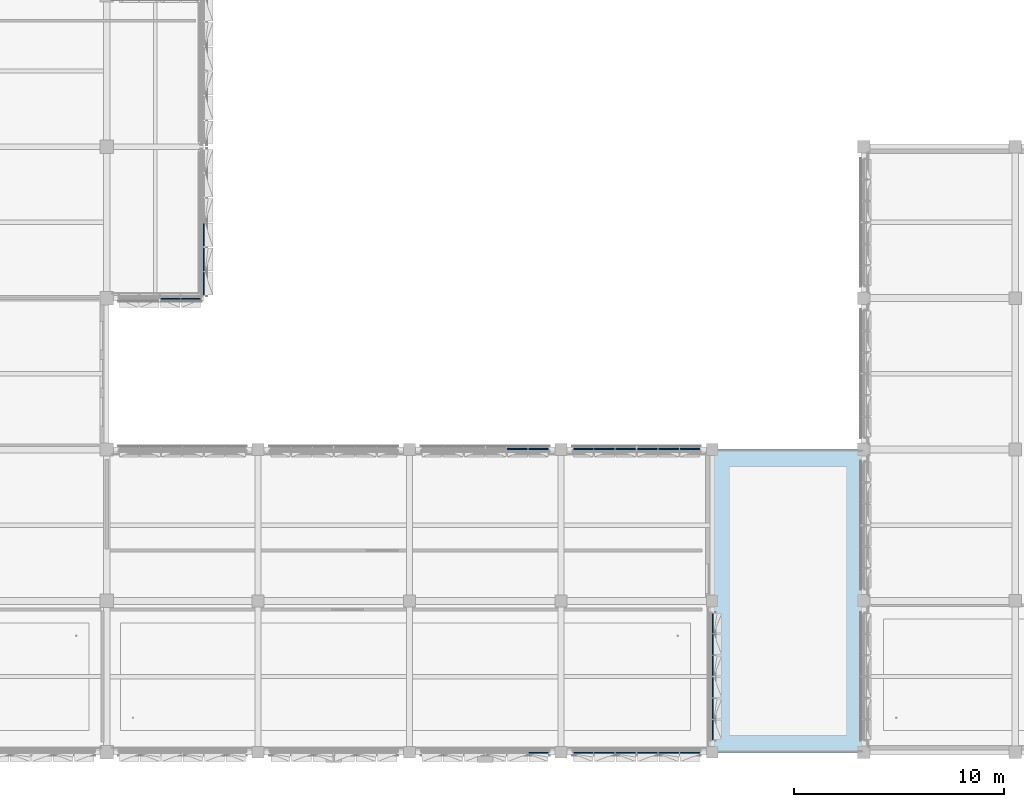
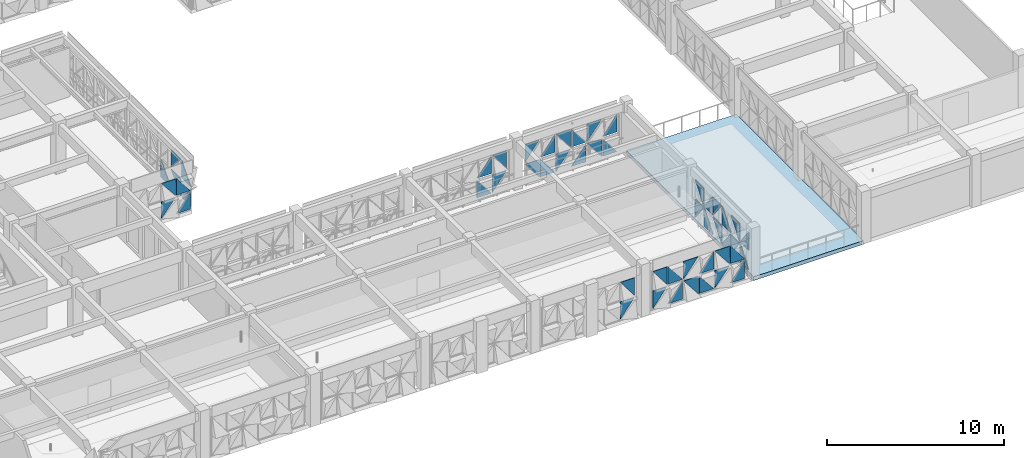
# One storey, part 32 of 85: 51 plates, 1 slab, 7 elements without a shape of their own.
"""IFC4 building model written with IfcOpenShell, lengths in metres."""

import ifcopenshell
import ifcopenshell.guid

model = None  # the IFC model being written
_history = None  # IfcOwnerHistory: only IFC2X3 demands one
_inside = {}  # id of a spatial element -> (the spatial element, [elements in it])
_under = {}  # id of a project, library or spatial element -> (it, [spatial elements below it])
_declared = {}  # id of a project -> (the project, [libraries it declares])
_typed = {}  # id of a type object -> (the type object, [elements of that type])
_made_of = {}  # id of a material, layer set ... -> (it, [elements and type objects made of it])


def new_model(schema):
    """Start an empty IFC model of exactly this schema.

    Asked for "IFC4X3", IfcOpenShell would pick the latest addendum, in which some entities
    have other attributes; the version numbers below select the first issue.
    IFC2X3 requires an IfcOwnerHistory on every rooted entity: one is made here for all.
    """
    global model, _history
    if schema == "IFC4X3":
        model = ifcopenshell.file(schema_version=(4, 3, 0, 0))
    else:
        model = ifcopenshell.file(schema=schema)
    _inside.clear()
    _under.clear()
    _declared.clear()
    _typed.clear()
    _made_of.clear()
    _history = None
    if model.schema == "IFC2X3":
        org = make("IfcOrganization", Name="unknown")
        user = make(
            "IfcPersonAndOrganization",
            ThePerson=make("IfcPerson", FamilyName="unknown"),
            TheOrganization=org,
        )
        app = make(
            "IfcApplication",
            ApplicationDeveloper=org,
            Version="unknown",
            ApplicationFullName="unknown",
            ApplicationIdentifier="unknown",
        )
        _history = make(
            "IfcOwnerHistory",
            OwningUser=user,
            OwningApplication=app,
            ChangeAction="ADDED",
            CreationDate=0,
        )
    return model


def make(cls, **values):
    """One entity of the class cls with the attributes given. An attribute that is None is left unset."""
    return model.create_entity(
        cls, **{name: value for name, value in values.items() if value is not None}
    )


def rooted(cls, **values):
    """An entity with a GlobalId (a new one), such as an element, a storey or a relation."""
    return make(cls, GlobalId=ifcopenshell.guid.new(), OwnerHistory=_history, **values)


def si_unit(unit_type, name, prefix=None):
    """IfcSIUnit, for example si_unit("LENGTHUNIT", "METRE", prefix="MILLI")."""
    return make("IfcSIUnit", UnitType=unit_type, Prefix=prefix, Name=name)


def assignment(units):
    """IfcUnitAssignment: the units of a project."""
    return None if units is None else make("IfcUnitAssignment", Units=units)


def point(xyz):
    """IfcCartesianPoint."""
    return None if xyz is None else make("IfcCartesianPoint", Coordinates=xyz)


def direction(xyz):
    """IfcDirection."""
    return None if xyz is None else make("IfcDirection", DirectionRatios=xyz)


def frame(location, z_axis=None, x_axis=None):
    """IfcAxis2Placement3D, a coordinate frame: its origin and axes. An axis left out is left unset."""
    return make(
        "IfcAxis2Placement3D",
        Location=point(location),
        Axis=direction(z_axis),
        RefDirection=direction(x_axis),
    )


def origin():
    """The frame at (0, 0, 0) with its axes left unset."""
    return frame((0.0, 0.0, 0.0))


def place(relative_to, where):
    """IfcLocalPlacement: puts the frame where relative to a parent placement (None: the world)."""
    return make(
        "IfcLocalPlacement", PlacementRelTo=relative_to, RelativePlacement=where
    )


def context(
    kind, dimensions, precision=None, world=None, true_north=None, identifier=None
):
    """IfcGeometricRepresentationContext, for example the 3D "Model" context."""
    return make(
        "IfcGeometricRepresentationContext",
        ContextIdentifier=identifier,
        ContextType=kind,
        CoordinateSpaceDimension=dimensions,
        Precision=precision,
        WorldCoordinateSystem=world,
        TrueNorth=true_north,
    )


def subcontext(parent, identifier, kind, view, scale=None):
    """IfcGeometricRepresentationSubContext, for example "Body" below "Model"."""
    return make(
        "IfcGeometricRepresentationSubContext",
        ContextIdentifier=identifier,
        ContextType=kind,
        ParentContext=parent,
        TargetScale=scale,
        TargetView=view,
    )


def project(units=None, contexts=None):
    """IfcProject with its units and contexts."""
    return rooted(
        "IfcProject",
        Name="project",
        RepresentationContexts=contexts,
        UnitsInContext=assignment(units),
    )


def spatial(cls, under=None, at=None, **own):
    """A site, building, storey or space (cls), placed at a placement, below another one or the project."""
    s = rooted(cls, ObjectPlacement=at, **own)
    if under is not None:
        _under.setdefault(under.id(), (under, []))[1].append(s)
    return s


def polyline(points):
    """IfcPolyline through the points."""
    return make("IfcPolyline", Points=[point(p) for p in points])


def outline(outer, holes=None, kind="AREA"):
    """IfcArbitraryClosedProfileDef: a profile drawn as a closed curve; with holes, ...WithVoids."""
    if holes is None:
        return make("IfcArbitraryClosedProfileDef", ProfileType=kind, OuterCurve=outer)
    return make(
        "IfcArbitraryProfileDefWithVoids",
        ProfileType=kind,
        OuterCurve=outer,
        InnerCurves=holes,
    )


def extrude(swept, where, along, depth):
    """IfcExtrudedAreaSolid: the profile swept, set in the frame where, extruded along a direction by depth."""
    return make(
        "IfcExtrudedAreaSolid",
        SweptArea=swept,
        Position=where,
        ExtrudedDirection=direction(along),
        Depth=depth,
    )


def shape(context_of_items, identifier, shape_type, items):
    """IfcShapeRepresentation: the items that make up one representation, for example the "Body"."""
    return make(
        "IfcShapeRepresentation",
        ContextOfItems=context_of_items,
        RepresentationIdentifier=identifier,
        RepresentationType=shape_type,
        Items=items,
    )


def material(Name=None, Category=None):
    """IfcMaterial."""
    return make("IfcMaterial", Name=Name, Category=Category)


def layer(
    of_material, thickness, ventilated=None, Name=None, Category=None, Priority=None
):
    """IfcMaterialLayer: one layer of a wall or slab, of a material (None: an air gap)."""
    return make(
        "IfcMaterialLayer",
        Material=of_material,
        LayerThickness=thickness,
        IsVentilated=ventilated,
        Name=Name,
        Category=Category,
        Priority=Priority,
    )


def layer_set(layers, Name=None):
    """IfcMaterialLayerSet."""
    return make("IfcMaterialLayerSet", MaterialLayers=layers, LayerSetName=Name)


def made_of(thing, what):
    """Note that an element or type object is made of a material, layer set ...; save() writes the relation."""
    if what is not None:
        _made_of.setdefault(what.id(), (what, []))[1].append(thing)
    return thing


def type_object(cls, material=None, **own):
    """A type object (cls), such as IfcWallType, which elements share."""
    return made_of(rooted(cls, **own), material)


def element(
    cls,
    number,
    at=None,
    inside=None,
    cuts=None,
    type_object=None,
    material=None,
    context=None,
    identifier="Body",
    shape_type=None,
    held_by="IfcProductDefinitionShape",
    body=None,
    shapes=None,
    **own,
):
    """One element of the class cls, such as IfcWall. Its Tag is "e" and its number.

    at: its placement. inside: the storey or other place that contains it. cuts: it is an
    opening in that element (IfcRelVoidsElement). A single representation is given by context,
    identifier, shape_type and body (its items); several are given by shapes. held_by: the class
    of the entity that holds the representations. save() writes the other relations.
    """
    e = rooted(cls, Tag="e%d" % number, ObjectPlacement=at, **own)
    if body is not None:
        shapes = [shape(context, identifier, shape_type, body)]
    if shapes is not None:
        e.Representation = make(held_by, Representations=shapes)
    if inside is not None:
        _inside.setdefault(inside.id(), (inside, []))[1].append(e)
    if cuts is not None:
        rooted(
            "IfcRelVoidsElement", RelatingBuildingElement=cuts, RelatedOpeningElement=e
        )
    if type_object is not None:
        _typed.setdefault(type_object.id(), (type_object, []))[1].append(e)
    return made_of(e, material)


def aggregate(whole, parts):
    """IfcRelAggregates: a whole, such as a stair, and the parts it consists of."""
    return rooted("IfcRelAggregates", RelatingObject=whole, RelatedObjects=parts)


def save(model, path):
    """Write the relations noted so far, then the file.

    IfcRelAggregates (storeys below a building ...), IfcRelContainedInSpatialStructure (elements
    in a storey), IfcRelDefinesByType, IfcRelAssociatesMaterial and IfcRelDeclares: one each for
    every whole, place, type object, material and project.
    """
    for whole, parts in _under.values():
        aggregate(whole, parts)
    for where, things in _inside.values():
        rooted(
            "IfcRelContainedInSpatialStructure",
            RelatedElements=things,
            RelatingStructure=where,
        )
    for kind, things in _typed.values():
        rooted("IfcRelDefinesByType", RelatedObjects=things, RelatingType=kind)
    for what, things in _made_of.values():
        rooted("IfcRelAssociatesMaterial", RelatedObjects=things, RelatingMaterial=what)
    for by, libraries in _declared.values():
        rooted("IfcRelDeclares", RelatingContext=by, RelatedDefinitions=libraries)
    model.write(path)


model = new_model("IFC4")

# Units and contexts
model_context = context("Model", 3, precision=1e-05, world=origin(), true_north=direction((0.0, 1.0)))
body_context = subcontext(model_context, "Body", "Model", "MODEL_VIEW")
ifc_project = project(units=[si_unit("LENGTHUNIT", "METRE"), si_unit("AREAUNIT", "SQUARE_METRE"), si_unit("VOLUMEUNIT", "CUBIC_METRE"), si_unit("PLANEANGLEUNIT", "RADIAN"), si_unit("MASSUNIT", "GRAM", prefix="KILO")], contexts=[model_context])

# Site, building, storey
site_placement = place(None, origin())
site = spatial("IfcSite", under=ifc_project, at=site_placement, CompositionType="ELEMENT")
building_placement = place(site_placement, origin())
building = spatial("IfcBuilding", under=site, at=building_placement, Name="Alvorim Cloister Faculty of Sciences", CompositionType="ELEMENT")
storey_placement = place(building_placement, frame((0.0, 0.0, 8.550048828125)))
storey = spatial("IfcBuildingStorey", under=building, at=storey_placement, Name="L02", CompositionType="ELEMENT", Elevation=8.550048828125)

# Curtain wall, plates
ifc_material_1 = material(Name="Aluminium and Low-E Glass Curtain Wall", Category="aluminium")
curtain_wall_type_1 = type_object("IfcCurtainWallType", Name="CW-TRI-7040x2857", PredefinedType="USERDEFINED", material=ifc_material_1)
curtain_wall_1_placement = place(storey_placement, origin())
curtain_wall_1 = element("IfcCurtainWall", 1, at=curtain_wall_1_placement, inside=storey, type_object=curtain_wall_type_1, Name="L02 Diagonal Cassette Curtain Wall CW-0073", ObjectType="UNITISED CURTAIN WALL", PredefinedType="USERDEFINED")
ifc_material_2 = material(Name="Double Low-E Laminated Glass", Category="glass")
ifc_layer_1 = layer(ifc_material_2, 0.0400390625)
ifc_layer_set_1 = layer_set([ifc_layer_1], Name="Double Low-E Laminated Glass")
plate_type = type_object("IfcPlateType", Name="PN-GLZ-40", PredefinedType="CURTAIN_PANEL", material=ifc_layer_set_1)
plate_1_placement = place(storey_placement, frame((33.425048828125, 21.7451171875, 0.139892578125), z_axis=(0.0, 0.0, 1.0), x_axis=(0.0, 1.0, 0.0)))
plate_1 = element("IfcPlate", 2, at=plate_1_placement, type_object=plate_type, Name="Diagonal Glazed Triangle TRI-BL", PredefinedType="CURTAIN_PANEL", context=body_context, shape_type="SweptSolid", body=[
    extrude(outline(polyline([(0.0, 0.0), (1.073974609375, 0.0), (0.0, 1.216552734375), (0.0, 0.0)])), frame((0.0, 0.02490234375, 0.0), z_axis=(0.0, -1.0, 0.0), x_axis=(1.0, 0.0, 0.0)), (0.0, 0.0, 1.0), 0.050048828125),
])
plate_2_placement = place(storey_placement, frame((33.425048828125, 21.7451171875, 1.49853515625), z_axis=(0.0, 0.0, 1.0), x_axis=(0.0, 1.0, 0.0)))
plate_2 = element("IfcPlate", 3, at=plate_2_placement, type_object=plate_type, Name="Diagonal Glazed Triangle TRI-BR", PredefinedType="CURTAIN_PANEL", context=body_context, shape_type="SweptSolid", body=[
    extrude(outline(polyline([(0.001953125, 0.0), (1.075927734375, 0.0), (1.075927734375, 1.216552734375), (0.001953125, 0.0)])), frame((0.0, 0.02490234375, 0.0), z_axis=(0.0, -1.0, 0.0), x_axis=(1.0, 0.0, 0.0)), (0.0, 0.0, 1.0), 0.050048828125),
])
plate_3_placement = place(storey_placement, frame((33.425048828125, 22.8857421875, 0.139892578125), z_axis=(0.0, 0.0, 1.0), x_axis=(0.0, 1.0, 0.0)))
plate_3 = element("IfcPlate", 4, at=plate_3_placement, type_object=plate_type, Name="Diagonal Glazed Triangle TRI-TL", PredefinedType="CURTAIN_PANEL", context=body_context, shape_type="SweptSolid", body=[
    extrude(outline(polyline([(1.1064453125, 1.218505859375), (0.0, 1.218505859375), (0.0, 0.001953125), (1.1064453125, 1.218505859375)])), frame((0.0, 0.02490234375, 0.0), z_axis=(0.0, -1.0, 0.0), x_axis=(1.0, 0.0, 0.0)), (0.0, 0.0, 1.0), 0.050048828125),
])
plate_4_placement = place(storey_placement, frame((33.425048828125, 22.8857421875, 1.49853515625), z_axis=(0.0, 0.0, 1.0), x_axis=(0.0, 1.0, 0.0)))
plate_4 = element("IfcPlate", 5, at=plate_4_placement, type_object=plate_type, Name="Diagonal Glazed Triangle TRI-TR", PredefinedType="CURTAIN_PANEL", context=body_context, shape_type="SweptSolid", body=[
    extrude(outline(polyline([(1.1083984375, 0.001953125), (1.1083984375, 1.218505859375), (0.001953125, 1.218505859375), (1.1083984375, 0.001953125)])), frame((0.0, 0.02490234375, 0.0), z_axis=(0.0, -1.0, 0.0), x_axis=(1.0, 0.0, 0.0)), (0.0, 0.0, 1.0), 0.050048828125),
])
plate_5_placement = place(storey_placement, frame((33.425048828125, 24.05908203125, 0.139892578125), z_axis=(0.0, 0.0, 1.0), x_axis=(0.0, 1.0, 0.0)))
plate_5 = element("IfcPlate", 6, at=plate_5_placement, type_object=plate_type, Name="Diagonal Glazed Triangle TRI-BR", PredefinedType="CURTAIN_PANEL", context=body_context, shape_type="SweptSolid", body=[
    extrude(outline(polyline([(0.001953125, 0.0), (1.1083984375, 0.0), (1.1083984375, 1.216552734375), (0.001953125, 0.0)])), frame((0.0, 0.02490234375, 0.0), z_axis=(0.0, -1.0, 0.0), x_axis=(1.0, 0.0, 0.0)), (0.0, 0.0, 1.0), 0.050048828125),
])
aggregate(curtain_wall_1, [plate_1, plate_2, plate_3, plate_4, plate_5])

curtain_wall_type_2 = type_object("IfcCurtainWallType", Name="CW-TRI-3980x2706", PredefinedType="USERDEFINED", material=ifc_material_1)
curtain_wall_2_placement = place(storey_placement, origin())
curtain_wall_2 = element("IfcCurtainWall", 7, at=curtain_wall_2_placement, inside=storey, type_object=curtain_wall_type_2, Name="L02 Diagonal Cassette Curtain Wall CW-0074", ObjectType="UNITISED CURTAIN WALL", PredefinedType="USERDEFINED")
plate_6_placement = place(storey_placement, frame((31.362548828125, 21.574951171875, 0.139892578125), z_axis=(0.0, 0.0, 1.0), x_axis=(1.0, 0.0, 0.0)))
plate_6 = element("IfcPlate", 8, at=plate_6_placement, type_object=plate_type, Name="Diagonal Glazed Triangle TRI-TL", PredefinedType="CURTAIN_PANEL", context=body_context, shape_type="SweptSolid", body=[
    extrude(outline(polyline([(0.927978515625, 1.14306640625), (0.0, 1.14306640625), (0.0, 0.001953125), (0.927978515625, 1.14306640625)])), frame((0.0, 0.02490234375, 0.0), z_axis=(0.0, -1.0, 0.0), x_axis=(1.0, 0.0, 0.0)), (0.0, 0.0, 1.0), 0.050048828125),
])
plate_7_placement = place(storey_placement, frame((31.362548828125, 21.574951171875, 1.4228515625), z_axis=(0.0, 0.0, 1.0), x_axis=(1.0, 0.0, 0.0)))
plate_7 = element("IfcPlate", 9, at=plate_7_placement, type_object=plate_type, Name="Diagonal Glazed Triangle TRI-TR", PredefinedType="CURTAIN_PANEL", context=body_context, shape_type="SweptSolid", body=[
    extrude(outline(polyline([(0.929931640625, 0.001953125), (0.929931640625, 1.14306640625), (0.001953125, 1.14306640625), (0.929931640625, 0.001953125)])), frame((0.0, 0.02490234375, 0.0), z_axis=(0.0, -1.0, 0.0), x_axis=(1.0, 0.0, 0.0)), (0.0, 0.0, 1.0), 0.050048828125),
])
plate_8_placement = place(storey_placement, frame((32.357421875, 21.574951171875, 0.139892578125), z_axis=(0.0, 0.0, 1.0), x_axis=(1.0, 0.0, 0.0)))
plate_8 = element("IfcPlate", 10, at=plate_8_placement, type_object=plate_type, Name="Diagonal Glazed Triangle TRI-BR", PredefinedType="CURTAIN_PANEL", context=body_context, shape_type="SweptSolid", body=[
    extrude(outline(polyline([(0.001953125, 0.0), (0.8974609375, 0.0), (0.8974609375, 1.14111328125), (0.001953125, 0.0)])), frame((0.0, 0.02490234375, 0.0), z_axis=(0.0, -1.0, 0.0), x_axis=(1.0, 0.0, 0.0)), (0.0, 0.0, 1.0), 0.050048828125),
])
plate_9_placement = place(storey_placement, frame((32.357421875, 21.574951171875, 1.4228515625), z_axis=(0.0, 0.0, 1.0), x_axis=(1.0, 0.0, 0.0)))
plate_9 = element("IfcPlate", 11, at=plate_9_placement, type_object=plate_type, Name="Diagonal Glazed Triangle TRI-BL", PredefinedType="CURTAIN_PANEL", context=body_context, shape_type="SweptSolid", body=[
    extrude(outline(polyline([(0.0, 0.0), (0.8955078125, 0.0), (0.0, 1.14111328125), (0.0, 0.0)])), frame((0.0, 0.02490234375, 0.0), z_axis=(0.0, -1.0, 0.0), x_axis=(1.0, 0.0, 0.0)), (0.0, 0.0, 1.0), 0.050048828125),
])
aggregate(curtain_wall_2, [plate_6, plate_7, plate_8, plate_9])

curtain_wall_type_3 = type_object("IfcCurtainWallType", Name="CW-TRI-6120x2850", PredefinedType="USERDEFINED", material=ifc_material_1)
curtain_wall_3_placement = place(storey_placement, origin())
curtain_wall_3 = element("IfcCurtainWall", 12, at=curtain_wall_3_placement, inside=storey, type_object=curtain_wall_type_3, Name="L02 Diagonal Cassette Curtain Wall CW-0077", ObjectType="UNITISED CURTAIN WALL", PredefinedType="USERDEFINED")
plate_10_placement = place(storey_placement, frame((47.8525390625, 14.425048828125, 0.139892578125), z_axis=(0.0, 0.0, 1.0), x_axis=(1.0, 0.0, 0.0)))
plate_10 = element("IfcPlate", 13, at=plate_10_placement, type_object=plate_type, Name="Diagonal Glazed Triangle TRI-BL", PredefinedType="CURTAIN_PANEL", context=body_context, shape_type="SweptSolid", body=[
    extrude(outline(polyline([(0.0, 0.0), (0.953125, 0.0), (0.0, 1.213134765625), (0.0, 0.0)])), frame((0.0, 0.02490234375, 0.0), z_axis=(0.0, -1.0, 0.0), x_axis=(1.0, 0.0, 0.0)), (0.0, 0.0, 1.0), 0.050048828125),
])
plate_11_placement = place(storey_placement, frame((47.8525390625, 14.425048828125, 1.494873046875), z_axis=(0.0, 0.0, 1.0), x_axis=(1.0, 0.0, 0.0)))
plate_11 = element("IfcPlate", 14, at=plate_11_placement, type_object=plate_type, Name="Diagonal Glazed Triangle TRI-BR", PredefinedType="CURTAIN_PANEL", context=body_context, shape_type="SweptSolid", body=[
    extrude(outline(polyline([(0.001953125, 0.0), (0.955078125, 0.0), (0.955078125, 1.213134765625), (0.001953125, 0.0)])), frame((0.0, 0.02490234375, 0.0), z_axis=(0.0, -1.0, 0.0), x_axis=(1.0, 0.0, 0.0)), (0.0, 0.0, 1.0), 0.050048828125),
])
plate_12_placement = place(storey_placement, frame((48.87255859375, 14.425048828125, 0.139892578125), z_axis=(0.0, 0.0, 1.0), x_axis=(1.0, 0.0, 0.0)))
plate_12 = element("IfcPlate", 15, at=plate_12_placement, type_object=plate_type, Name="Diagonal Glazed Triangle TRI-TL", PredefinedType="CURTAIN_PANEL", context=body_context, shape_type="SweptSolid", body=[
    extrude(outline(polyline([(0.920654296875, 1.215087890625), (0.0, 1.215087890625), (0.0, 0.001953125), (0.920654296875, 1.215087890625)])), frame((0.0, 0.02490234375, 0.0), z_axis=(0.0, -1.0, 0.0), x_axis=(1.0, 0.0, 0.0)), (0.0, 0.0, 1.0), 0.050048828125),
])
plate_13_placement = place(storey_placement, frame((48.87255859375, 14.425048828125, 1.494873046875), z_axis=(0.0, 0.0, 1.0), x_axis=(1.0, 0.0, 0.0)))
plate_13 = element("IfcPlate", 16, at=plate_13_placement, type_object=plate_type, Name="Diagonal Glazed Triangle TRI-TR", PredefinedType="CURTAIN_PANEL", context=body_context, shape_type="SweptSolid", body=[
    extrude(outline(polyline([(0.922607421875, 0.001953125), (0.922607421875, 1.215087890625), (0.001953125, 1.215087890625), (0.922607421875, 0.001953125)])), frame((0.0, 0.02490234375, 0.0), z_axis=(0.0, -1.0, 0.0), x_axis=(1.0, 0.0, 0.0)), (0.0, 0.0, 1.0), 0.050048828125),
])
aggregate(curtain_wall_3, [plate_10, plate_11, plate_12, plate_13])

curtain_wall_4_placement = place(storey_placement, origin())
curtain_wall_4 = element("IfcCurtainWall", 17, at=curtain_wall_4_placement, inside=storey, type_object=curtain_wall_type_3, Name="L02 Diagonal Cassette Curtain Wall CW-0078", ObjectType="UNITISED CURTAIN WALL", PredefinedType="USERDEFINED")
plate_14_placement = place(storey_placement, frame((51.0048828125, 14.425048828125, 0.139892578125), z_axis=(0.0, 0.0, 1.0), x_axis=(1.0, 0.0, 0.0)))
plate_14 = element("IfcPlate", 18, at=plate_14_placement, type_object=plate_type, Name="Diagonal Glazed Triangle TRI-TR", PredefinedType="CURTAIN_PANEL", context=body_context, shape_type="SweptSolid", body=[
    extrude(outline(polyline([(0.922607421875, 0.001953125), (0.922607421875, 1.215087890625), (0.001953125, 1.215087890625), (0.922607421875, 0.001953125)])), frame((0.0, 0.02490234375, 0.0), z_axis=(0.0, -1.0, 0.0), x_axis=(1.0, 0.0, 0.0)), (0.0, 0.0, 1.0), 0.050048828125),
])
plate_15_placement = place(storey_placement, frame((51.0048828125, 14.425048828125, 1.494873046875), z_axis=(0.0, 0.0, 1.0), x_axis=(1.0, 0.0, 0.0)))
plate_15 = element("IfcPlate", 19, at=plate_15_placement, type_object=plate_type, Name="Diagonal Glazed Triangle TRI-TL", PredefinedType="CURTAIN_PANEL", context=body_context, shape_type="SweptSolid", body=[
    extrude(outline(polyline([(0.920654296875, 1.215087890625), (0.0, 1.215087890625), (0.0, 0.001953125), (0.920654296875, 1.215087890625)])), frame((0.0, 0.02490234375, 0.0), z_axis=(0.0, -1.0, 0.0), x_axis=(1.0, 0.0, 0.0)), (0.0, 0.0, 1.0), 0.050048828125),
])
plate_16_placement = place(storey_placement, frame((51.992431640625, 14.425048828125, 0.139892578125), z_axis=(0.0, 0.0, 1.0), x_axis=(1.0, 0.0, 0.0)))
plate_16 = element("IfcPlate", 20, at=plate_16_placement, type_object=plate_type, Name="Diagonal Glazed Triangle TRI-BL", PredefinedType="CURTAIN_PANEL", context=body_context, shape_type="SweptSolid", body=[
    extrude(outline(polyline([(0.0, 0.0), (0.953125, 0.0), (0.0, 1.213134765625), (0.0, 0.0)])), frame((0.0, 0.02490234375, 0.0), z_axis=(0.0, -1.0, 0.0), x_axis=(1.0, 0.0, 0.0)), (0.0, 0.0, 1.0), 0.050048828125),
])
plate_17_placement = place(storey_placement, frame((51.992431640625, 14.425048828125, 1.494873046875), z_axis=(0.0, 0.0, 1.0), x_axis=(1.0, 0.0, 0.0)))
plate_17 = element("IfcPlate", 21, at=plate_17_placement, type_object=plate_type, Name="Diagonal Glazed Triangle TRI-BR", PredefinedType="CURTAIN_PANEL", context=body_context, shape_type="SweptSolid", body=[
    extrude(outline(polyline([(0.001953125, 0.0), (0.955078125, 0.0), (0.955078125, 1.213134765625), (0.001953125, 0.0)])), frame((0.0, 0.02490234375, 0.0), z_axis=(0.0, -1.0, 0.0), x_axis=(1.0, 0.0, 0.0)), (0.0, 0.0, 1.0), 0.050048828125),
])
plate_18_placement = place(storey_placement, frame((53.012451171875, 14.425048828125, 0.139892578125), z_axis=(0.0, 0.0, 1.0), x_axis=(1.0, 0.0, 0.0)))
plate_18 = element("IfcPlate", 22, at=plate_18_placement, type_object=plate_type, Name="Diagonal Glazed Triangle TRI-TL", PredefinedType="CURTAIN_PANEL", context=body_context, shape_type="SweptSolid", body=[
    extrude(outline(polyline([(0.953125, 1.215087890625), (0.0, 1.215087890625), (0.0, 0.001953125), (0.953125, 1.215087890625)])), frame((0.0, 0.02490234375, 0.0), z_axis=(0.0, -1.0, 0.0), x_axis=(1.0, 0.0, 0.0)), (0.0, 0.0, 1.0), 0.050048828125),
])
plate_19_placement = place(storey_placement, frame((53.012451171875, 14.425048828125, 1.494873046875), z_axis=(0.0, 0.0, 1.0), x_axis=(1.0, 0.0, 0.0)))
plate_19 = element("IfcPlate", 23, at=plate_19_placement, type_object=plate_type, Name="Diagonal Glazed Triangle TRI-TR", PredefinedType="CURTAIN_PANEL", context=body_context, shape_type="SweptSolid", body=[
    extrude(outline(polyline([(0.955078125, 0.001953125), (0.955078125, 1.215087890625), (0.001953125, 1.215087890625), (0.955078125, 0.001953125)])), frame((0.0, 0.02490234375, 0.0), z_axis=(0.0, -1.0, 0.0), x_axis=(1.0, 0.0, 0.0)), (0.0, 0.0, 1.0), 0.050048828125),
])
plate_20_placement = place(storey_placement, frame((54.032470703125, 14.425048828125, 0.139892578125), z_axis=(0.0, 0.0, 1.0), x_axis=(1.0, 0.0, 0.0)))
plate_20 = element("IfcPlate", 24, at=plate_20_placement, type_object=plate_type, Name="Diagonal Glazed Triangle TRI-BR", PredefinedType="CURTAIN_PANEL", context=body_context, shape_type="SweptSolid", body=[
    extrude(outline(polyline([(0.001953125, 0.0), (0.955078125, 0.0), (0.955078125, 1.213134765625), (0.001953125, 0.0)])), frame((0.0, 0.02490234375, 0.0), z_axis=(0.0, -1.0, 0.0), x_axis=(1.0, 0.0, 0.0)), (0.0, 0.0, 1.0), 0.050048828125),
])
plate_21_placement = place(storey_placement, frame((54.032470703125, 14.425048828125, 1.494873046875), z_axis=(0.0, 0.0, 1.0), x_axis=(1.0, 0.0, 0.0)))
plate_21 = element("IfcPlate", 25, at=plate_21_placement, type_object=plate_type, Name="Diagonal Glazed Triangle TRI-BL", PredefinedType="CURTAIN_PANEL", context=body_context, shape_type="SweptSolid", body=[
    extrude(outline(polyline([(0.0, 0.0), (0.953125, 0.0), (0.0, 1.213134765625), (0.0, 0.0)])), frame((0.0, 0.02490234375, 0.0), z_axis=(0.0, -1.0, 0.0), x_axis=(1.0, 0.0, 0.0)), (0.0, 0.0, 1.0), 0.050048828125),
])
plate_22_placement = place(storey_placement, frame((55.052490234375, 14.425048828125, 0.139892578125), z_axis=(0.0, 0.0, 1.0), x_axis=(1.0, 0.0, 0.0)))
plate_22 = element("IfcPlate", 26, at=plate_22_placement, type_object=plate_type, Name="Diagonal Glazed Triangle TRI-TR", PredefinedType="CURTAIN_PANEL", context=body_context, shape_type="SweptSolid", body=[
    extrude(outline(polyline([(0.955078125, 0.001953125), (0.955078125, 1.215087890625), (0.001953125, 1.215087890625), (0.955078125, 0.001953125)])), frame((0.0, 0.02490234375, 0.0), z_axis=(0.0, -1.0, 0.0), x_axis=(1.0, 0.0, 0.0)), (0.0, 0.0, 1.0), 0.050048828125),
])
plate_23_placement = place(storey_placement, frame((55.052490234375, 14.425048828125, 1.494873046875), z_axis=(0.0, 0.0, 1.0), x_axis=(1.0, 0.0, 0.0)))
plate_23 = element("IfcPlate", 27, at=plate_23_placement, type_object=plate_type, Name="Diagonal Glazed Triangle TRI-TL", PredefinedType="CURTAIN_PANEL", context=body_context, shape_type="SweptSolid", body=[
    extrude(outline(polyline([(0.953125, 1.215087890625), (0.0, 1.215087890625), (0.0, 0.001953125), (0.953125, 1.215087890625)])), frame((0.0, 0.02490234375, 0.0), z_axis=(0.0, -1.0, 0.0), x_axis=(1.0, 0.0, 0.0)), (0.0, 0.0, 1.0), 0.050048828125),
])
plate_24_placement = place(storey_placement, frame((56.072509765625, 14.425048828125, 0.139892578125), z_axis=(0.0, 0.0, 1.0), x_axis=(1.0, 0.0, 0.0)))
plate_24 = element("IfcPlate", 28, at=plate_24_placement, type_object=plate_type, Name="Diagonal Glazed Triangle TRI-BL", PredefinedType="CURTAIN_PANEL", context=body_context, shape_type="SweptSolid", body=[
    extrude(outline(polyline([(0.0, 0.0), (0.920654296875, 0.0), (0.0, 1.213134765625), (0.0, 0.0)])), frame((0.0, 0.02490234375, 0.0), z_axis=(0.0, -1.0, 0.0), x_axis=(1.0, 0.0, 0.0)), (0.0, 0.0, 1.0), 0.050048828125),
])
plate_25_placement = place(storey_placement, frame((56.072509765625, 14.425048828125, 1.494873046875), z_axis=(0.0, 0.0, 1.0), x_axis=(1.0, 0.0, 0.0)))
plate_25 = element("IfcPlate", 29, at=plate_25_placement, type_object=plate_type, Name="Diagonal Glazed Triangle TRI-BR", PredefinedType="CURTAIN_PANEL", context=body_context, shape_type="SweptSolid", body=[
    extrude(outline(polyline([(0.001953125, 0.0), (0.922607421875, 0.0), (0.922607421875, 1.213134765625), (0.001953125, 0.0)])), frame((0.0, 0.02490234375, 0.0), z_axis=(0.0, -1.0, 0.0), x_axis=(1.0, 0.0, 0.0)), (0.0, 0.0, 1.0), 0.050048828125),
])
aggregate(curtain_wall_4, [plate_14, plate_15, plate_16, plate_17, plate_18, plate_19, plate_20, plate_21, plate_22, plate_23, plate_24, plate_25])

curtain_wall_5_placement = place(storey_placement, origin())
curtain_wall_5 = element("IfcCurtainWall", 30, at=curtain_wall_5_placement, inside=storey, type_object=curtain_wall_type_3, Name="L02 Diagonal Cassette Curtain Wall CW-0079", ObjectType="UNITISED CURTAIN WALL", PredefinedType="USERDEFINED")
plate_26_placement = place(storey_placement, frame((57.625, 0.60498046875, 0.139892578125), z_axis=(0.0, 0.0, 1.0), x_axis=(0.0, 1.0, 0.0)))
plate_26 = element("IfcPlate", 31, at=plate_26_placement, type_object=plate_type, Name="Diagonal Glazed Triangle TRI-BR", PredefinedType="CURTAIN_PANEL", context=body_context, shape_type="SweptSolid", body=[
    extrude(outline(polyline([(0.001953125, 0.0), (0.922607421875, 0.0), (0.922607421875, 1.213134765625), (0.001953125, 0.0)])), frame((0.0, 0.02490234375, 0.0), z_axis=(0.0, -1.0, 0.0), x_axis=(1.0, 0.0, 0.0)), (0.0, 0.0, 1.0), 0.050048828125),
])
plate_27_placement = place(storey_placement, frame((57.625, 0.60498046875, 1.494873046875), z_axis=(0.0, 0.0, 1.0), x_axis=(0.0, 1.0, 0.0)))
plate_27 = element("IfcPlate", 32, at=plate_27_placement, type_object=plate_type, Name="Diagonal Glazed Triangle TRI-BL", PredefinedType="CURTAIN_PANEL", context=body_context, shape_type="SweptSolid", body=[
    extrude(outline(polyline([(0.0, 0.0), (0.920654296875, 0.0), (0.0, 1.213134765625), (0.0, 0.0)])), frame((0.0, 0.02490234375, 0.0), z_axis=(0.0, -1.0, 0.0), x_axis=(1.0, 0.0, 0.0)), (0.0, 0.0, 1.0), 0.050048828125),
])
plate_28_placement = place(storey_placement, frame((57.625, 1.592529296875, 0.139892578125), z_axis=(0.0, 0.0, 1.0), x_axis=(0.0, 1.0, 0.0)))
plate_28 = element("IfcPlate", 33, at=plate_28_placement, type_object=plate_type, Name="Diagonal Glazed Triangle TRI-TR", PredefinedType="CURTAIN_PANEL", context=body_context, shape_type="SweptSolid", body=[
    extrude(outline(polyline([(0.955078125, 0.001953125), (0.955078125, 1.215087890625), (0.001953125, 1.215087890625), (0.955078125, 0.001953125)])), frame((0.0, 0.02490234375, 0.0), z_axis=(0.0, -1.0, 0.0), x_axis=(1.0, 0.0, 0.0)), (0.0, 0.0, 1.0), 0.050048828125),
])
plate_29_placement = place(storey_placement, frame((57.625, 1.592529296875, 1.494873046875), z_axis=(0.0, 0.0, 1.0), x_axis=(0.0, 1.0, 0.0)))
plate_29 = element("IfcPlate", 34, at=plate_29_placement, type_object=plate_type, Name="Diagonal Glazed Triangle TRI-TL", PredefinedType="CURTAIN_PANEL", context=body_context, shape_type="SweptSolid", body=[
    extrude(outline(polyline([(0.953125, 1.215087890625), (0.0, 1.215087890625), (0.0, 0.001953125), (0.953125, 1.215087890625)])), frame((0.0, 0.02490234375, 0.0), z_axis=(0.0, -1.0, 0.0), x_axis=(1.0, 0.0, 0.0)), (0.0, 0.0, 1.0), 0.050048828125),
])
plate_30_placement = place(storey_placement, frame((57.625, 2.612548828125, 0.139892578125), z_axis=(0.0, 0.0, 1.0), x_axis=(0.0, 1.0, 0.0)))
plate_30 = element("IfcPlate", 35, at=plate_30_placement, type_object=plate_type, Name="Diagonal Glazed Triangle TRI-BL", PredefinedType="CURTAIN_PANEL", context=body_context, shape_type="SweptSolid", body=[
    extrude(outline(polyline([(0.0, 0.0), (0.953125, 0.0), (0.0, 1.213134765625), (0.0, 0.0)])), frame((0.0, 0.02490234375, 0.0), z_axis=(0.0, -1.0, 0.0), x_axis=(1.0, 0.0, 0.0)), (0.0, 0.0, 1.0), 0.050048828125),
])
plate_31_placement = place(storey_placement, frame((57.625, 2.612548828125, 1.494873046875), z_axis=(0.0, 0.0, 1.0), x_axis=(0.0, 1.0, 0.0)))
plate_31 = element("IfcPlate", 36, at=plate_31_placement, type_object=plate_type, Name="Diagonal Glazed Triangle TRI-BR", PredefinedType="CURTAIN_PANEL", context=body_context, shape_type="SweptSolid", body=[
    extrude(outline(polyline([(0.001953125, 0.0), (0.955078125, 0.0), (0.955078125, 1.213134765625), (0.001953125, 0.0)])), frame((0.0, 0.02490234375, 0.0), z_axis=(0.0, -1.0, 0.0), x_axis=(1.0, 0.0, 0.0)), (0.0, 0.0, 1.0), 0.050048828125),
])
plate_32_placement = place(storey_placement, frame((57.625, 3.632568359375, 0.139892578125), z_axis=(0.0, 0.0, 1.0), x_axis=(0.0, 1.0, 0.0)))
plate_32 = element("IfcPlate", 37, at=plate_32_placement, type_object=plate_type, Name="Diagonal Glazed Triangle TRI-TL", PredefinedType="CURTAIN_PANEL", context=body_context, shape_type="SweptSolid", body=[
    extrude(outline(polyline([(0.953125, 1.215087890625), (0.0, 1.215087890625), (0.0, 0.001953125), (0.953125, 1.215087890625)])), frame((0.0, 0.02490234375, 0.0), z_axis=(0.0, -1.0, 0.0), x_axis=(1.0, 0.0, 0.0)), (0.0, 0.0, 1.0), 0.050048828125),
])
plate_33_placement = place(storey_placement, frame((57.625, 3.632568359375, 1.494873046875), z_axis=(0.0, 0.0, 1.0), x_axis=(0.0, 1.0, 0.0)))
plate_33 = element("IfcPlate", 38, at=plate_33_placement, type_object=plate_type, Name="Diagonal Glazed Triangle TRI-TR", PredefinedType="CURTAIN_PANEL", context=body_context, shape_type="SweptSolid", body=[
    extrude(outline(polyline([(0.955078125, 0.001953125), (0.955078125, 1.215087890625), (0.001953125, 1.215087890625), (0.955078125, 0.001953125)])), frame((0.0, 0.02490234375, 0.0), z_axis=(0.0, -1.0, 0.0), x_axis=(1.0, 0.0, 0.0)), (0.0, 0.0, 1.0), 0.050048828125),
])
plate_34_placement = place(storey_placement, frame((57.625, 4.652587890625, 0.139892578125), z_axis=(0.0, 0.0, 1.0), x_axis=(0.0, 1.0, 0.0)))
plate_34 = element("IfcPlate", 39, at=plate_34_placement, type_object=plate_type, Name="Diagonal Glazed Triangle TRI-BR", PredefinedType="CURTAIN_PANEL", context=body_context, shape_type="SweptSolid", body=[
    extrude(outline(polyline([(0.001953125, 0.0), (0.955078125, 0.0), (0.955078125, 1.213134765625), (0.001953125, 0.0)])), frame((0.0, 0.02490234375, 0.0), z_axis=(0.0, -1.0, 0.0), x_axis=(1.0, 0.0, 0.0)), (0.0, 0.0, 1.0), 0.050048828125),
])
plate_35_placement = place(storey_placement, frame((57.625, 4.652587890625, 1.494873046875), z_axis=(0.0, 0.0, 1.0), x_axis=(0.0, 1.0, 0.0)))
plate_35 = element("IfcPlate", 40, at=plate_35_placement, type_object=plate_type, Name="Diagonal Glazed Triangle TRI-BL", PredefinedType="CURTAIN_PANEL", context=body_context, shape_type="SweptSolid", body=[
    extrude(outline(polyline([(0.0, 0.0), (0.953125, 0.0), (0.0, 1.213134765625), (0.0, 0.0)])), frame((0.0, 0.02490234375, 0.0), z_axis=(0.0, -1.0, 0.0), x_axis=(1.0, 0.0, 0.0)), (0.0, 0.0, 1.0), 0.050048828125),
])
plate_36_placement = place(storey_placement, frame((57.625, 5.672607421875, 0.139892578125), z_axis=(0.0, 0.0, 1.0), x_axis=(0.0, 1.0, 0.0)))
plate_36 = element("IfcPlate", 41, at=plate_36_placement, type_object=plate_type, Name="Diagonal Glazed Triangle TRI-TR", PredefinedType="CURTAIN_PANEL", context=body_context, shape_type="SweptSolid", body=[
    extrude(outline(polyline([(0.922607421875, 0.001953125), (0.922607421875, 1.215087890625), (0.001953125, 1.215087890625), (0.922607421875, 0.001953125)])), frame((0.0, 0.02490234375, 0.0), z_axis=(0.0, -1.0, 0.0), x_axis=(1.0, 0.0, 0.0)), (0.0, 0.0, 1.0), 0.050048828125),
])
plate_37_placement = place(storey_placement, frame((57.625, 5.672607421875, 1.494873046875), z_axis=(0.0, 0.0, 1.0), x_axis=(0.0, 1.0, 0.0)))
plate_37 = element("IfcPlate", 42, at=plate_37_placement, type_object=plate_type, Name="Diagonal Glazed Triangle TRI-TL", PredefinedType="CURTAIN_PANEL", context=body_context, shape_type="SweptSolid", body=[
    extrude(outline(polyline([(0.920654296875, 1.215087890625), (0.0, 1.215087890625), (0.0, 0.001953125), (0.920654296875, 1.215087890625)])), frame((0.0, 0.02490234375, 0.0), z_axis=(0.0, -1.0, 0.0), x_axis=(1.0, 0.0, 0.0)), (0.0, 0.0, 1.0), 0.050048828125),
])
aggregate(curtain_wall_5, [plate_26, plate_27, plate_28, plate_29, plate_30, plate_31, plate_32, plate_33, plate_34, plate_35, plate_36, plate_37])

curtain_wall_6_placement = place(storey_placement, origin())
curtain_wall_6 = element("IfcCurtainWall", 43, at=curtain_wall_6_placement, inside=storey, type_object=curtain_wall_type_3, Name="L02 Diagonal Cassette Curtain Wall CW-0080", ObjectType="UNITISED CURTAIN WALL", PredefinedType="USERDEFINED")
plate_38_placement = place(storey_placement, frame((51.0048828125, -0.02490234375, 0.139892578125), z_axis=(0.0, 0.0, 1.0), x_axis=(1.0, 0.0, 0.0)))
plate_38 = element("IfcPlate", 44, at=plate_38_placement, type_object=plate_type, Name="Diagonal Glazed Triangle TRI-TL", PredefinedType="CURTAIN_PANEL", context=body_context, shape_type="SweptSolid", body=[
    extrude(outline(polyline([(0.920654296875, 1.215087890625), (0.0, 1.215087890625), (0.0, 0.001953125), (0.920654296875, 1.215087890625)])), frame((0.0, 0.02490234375, 0.0), z_axis=(0.0, -1.0, 0.0), x_axis=(1.0, 0.0, 0.0)), (0.0, 0.0, 1.0), 0.050048828125),
])
plate_39_placement = place(storey_placement, frame((51.0048828125, -0.02490234375, 1.494873046875), z_axis=(0.0, 0.0, 1.0), x_axis=(1.0, 0.0, 0.0)))
plate_39 = element("IfcPlate", 45, at=plate_39_placement, type_object=plate_type, Name="Diagonal Glazed Triangle TRI-TR", PredefinedType="CURTAIN_PANEL", context=body_context, shape_type="SweptSolid", body=[
    extrude(outline(polyline([(0.922607421875, 0.001953125), (0.922607421875, 1.215087890625), (0.001953125, 1.215087890625), (0.922607421875, 0.001953125)])), frame((0.0, 0.02490234375, 0.0), z_axis=(0.0, -1.0, 0.0), x_axis=(1.0, 0.0, 0.0)), (0.0, 0.0, 1.0), 0.050048828125),
])
plate_40_placement = place(storey_placement, frame((51.992431640625, -0.02490234375, 0.139892578125), z_axis=(0.0, 0.0, 1.0), x_axis=(1.0, 0.0, 0.0)))
plate_40 = element("IfcPlate", 46, at=plate_40_placement, type_object=plate_type, Name="Diagonal Glazed Triangle TRI-BR", PredefinedType="CURTAIN_PANEL", context=body_context, shape_type="SweptSolid", body=[
    extrude(outline(polyline([(0.001953125, 0.0), (0.955078125, 0.0), (0.955078125, 1.213134765625), (0.001953125, 0.0)])), frame((0.0, 0.02490234375, 0.0), z_axis=(0.0, -1.0, 0.0), x_axis=(1.0, 0.0, 0.0)), (0.0, 0.0, 1.0), 0.050048828125),
])
plate_41_placement = place(storey_placement, frame((51.992431640625, -0.02490234375, 1.494873046875), z_axis=(0.0, 0.0, 1.0), x_axis=(1.0, 0.0, 0.0)))
plate_41 = element("IfcPlate", 47, at=plate_41_placement, type_object=plate_type, Name="Diagonal Glazed Triangle TRI-BL", PredefinedType="CURTAIN_PANEL", context=body_context, shape_type="SweptSolid", body=[
    extrude(outline(polyline([(0.0, 0.0), (0.953125, 0.0), (0.0, 1.213134765625), (0.0, 0.0)])), frame((0.0, 0.02490234375, 0.0), z_axis=(0.0, -1.0, 0.0), x_axis=(1.0, 0.0, 0.0)), (0.0, 0.0, 1.0), 0.050048828125),
])
plate_42_placement = place(storey_placement, frame((53.012451171875, -0.02490234375, 0.139892578125), z_axis=(0.0, 0.0, 1.0), x_axis=(1.0, 0.0, 0.0)))
plate_42 = element("IfcPlate", 48, at=plate_42_placement, type_object=plate_type, Name="Diagonal Glazed Triangle TRI-TR", PredefinedType="CURTAIN_PANEL", context=body_context, shape_type="SweptSolid", body=[
    extrude(outline(polyline([(0.955078125, 0.001953125), (0.955078125, 1.215087890625), (0.001953125, 1.215087890625), (0.955078125, 0.001953125)])), frame((0.0, 0.02490234375, 0.0), z_axis=(0.0, -1.0, 0.0), x_axis=(1.0, 0.0, 0.0)), (0.0, 0.0, 1.0), 0.050048828125),
])
plate_43_placement = place(storey_placement, frame((53.012451171875, -0.02490234375, 1.494873046875), z_axis=(0.0, 0.0, 1.0), x_axis=(1.0, 0.0, 0.0)))
plate_43 = element("IfcPlate", 49, at=plate_43_placement, type_object=plate_type, Name="Diagonal Glazed Triangle TRI-TL", PredefinedType="CURTAIN_PANEL", context=body_context, shape_type="SweptSolid", body=[
    extrude(outline(polyline([(0.953125, 1.215087890625), (0.0, 1.215087890625), (0.0, 0.001953125), (0.953125, 1.215087890625)])), frame((0.0, 0.02490234375, 0.0), z_axis=(0.0, -1.0, 0.0), x_axis=(1.0, 0.0, 0.0)), (0.0, 0.0, 1.0), 0.050048828125),
])
plate_44_placement = place(storey_placement, frame((54.032470703125, -0.02490234375, 0.139892578125), z_axis=(0.0, 0.0, 1.0), x_axis=(1.0, 0.0, 0.0)))
plate_44 = element("IfcPlate", 50, at=plate_44_placement, type_object=plate_type, Name="Diagonal Glazed Triangle TRI-BL", PredefinedType="CURTAIN_PANEL", context=body_context, shape_type="SweptSolid", body=[
    extrude(outline(polyline([(0.0, 0.0), (0.953125, 0.0), (0.0, 1.213134765625), (0.0, 0.0)])), frame((0.0, 0.02490234375, 0.0), z_axis=(0.0, -1.0, 0.0), x_axis=(1.0, 0.0, 0.0)), (0.0, 0.0, 1.0), 0.050048828125),
])
plate_45_placement = place(storey_placement, frame((54.032470703125, -0.02490234375, 1.494873046875), z_axis=(0.0, 0.0, 1.0), x_axis=(1.0, 0.0, 0.0)))
plate_45 = element("IfcPlate", 51, at=plate_45_placement, type_object=plate_type, Name="Diagonal Glazed Triangle TRI-BR", PredefinedType="CURTAIN_PANEL", context=body_context, shape_type="SweptSolid", body=[
    extrude(outline(polyline([(0.001953125, 0.0), (0.955078125, 0.0), (0.955078125, 1.213134765625), (0.001953125, 0.0)])), frame((0.0, 0.02490234375, 0.0), z_axis=(0.0, -1.0, 0.0), x_axis=(1.0, 0.0, 0.0)), (0.0, 0.0, 1.0), 0.050048828125),
])
plate_46_placement = place(storey_placement, frame((55.052490234375, -0.02490234375, 0.139892578125), z_axis=(0.0, 0.0, 1.0), x_axis=(1.0, 0.0, 0.0)))
plate_46 = element("IfcPlate", 52, at=plate_46_placement, type_object=plate_type, Name="Diagonal Glazed Triangle TRI-TL", PredefinedType="CURTAIN_PANEL", context=body_context, shape_type="SweptSolid", body=[
    extrude(outline(polyline([(0.953125, 1.215087890625), (0.0, 1.215087890625), (0.0, 0.001953125), (0.953125, 1.215087890625)])), frame((0.0, 0.02490234375, 0.0), z_axis=(0.0, -1.0, 0.0), x_axis=(1.0, 0.0, 0.0)), (0.0, 0.0, 1.0), 0.050048828125),
])
plate_47_placement = place(storey_placement, frame((55.052490234375, -0.02490234375, 1.494873046875), z_axis=(0.0, 0.0, 1.0), x_axis=(1.0, 0.0, 0.0)))
plate_47 = element("IfcPlate", 53, at=plate_47_placement, type_object=plate_type, Name="Diagonal Glazed Triangle TRI-TR", PredefinedType="CURTAIN_PANEL", context=body_context, shape_type="SweptSolid", body=[
    extrude(outline(polyline([(0.955078125, 0.001953125), (0.955078125, 1.215087890625), (0.001953125, 1.215087890625), (0.955078125, 0.001953125)])), frame((0.0, 0.02490234375, 0.0), z_axis=(0.0, -1.0, 0.0), x_axis=(1.0, 0.0, 0.0)), (0.0, 0.0, 1.0), 0.050048828125),
])
plate_48_placement = place(storey_placement, frame((56.072509765625, -0.02490234375, 0.139892578125), z_axis=(0.0, 0.0, 1.0), x_axis=(1.0, 0.0, 0.0)))
plate_48 = element("IfcPlate", 54, at=plate_48_placement, type_object=plate_type, Name="Diagonal Glazed Triangle TRI-BR", PredefinedType="CURTAIN_PANEL", context=body_context, shape_type="SweptSolid", body=[
    extrude(outline(polyline([(0.001953125, 0.0), (0.922607421875, 0.0), (0.922607421875, 1.213134765625), (0.001953125, 0.0)])), frame((0.0, 0.02490234375, 0.0), z_axis=(0.0, -1.0, 0.0), x_axis=(1.0, 0.0, 0.0)), (0.0, 0.0, 1.0), 0.050048828125),
])
plate_49_placement = place(storey_placement, frame((56.072509765625, -0.02490234375, 1.494873046875), z_axis=(0.0, 0.0, 1.0), x_axis=(1.0, 0.0, 0.0)))
plate_49 = element("IfcPlate", 55, at=plate_49_placement, type_object=plate_type, Name="Diagonal Glazed Triangle TRI-BL", PredefinedType="CURTAIN_PANEL", context=body_context, shape_type="SweptSolid", body=[
    extrude(outline(polyline([(0.0, 0.0), (0.920654296875, 0.0), (0.0, 1.213134765625), (0.0, 0.0)])), frame((0.0, 0.02490234375, 0.0), z_axis=(0.0, -1.0, 0.0), x_axis=(1.0, 0.0, 0.0)), (0.0, 0.0, 1.0), 0.050048828125),
])
aggregate(curtain_wall_6, [plate_38, plate_39, plate_40, plate_41, plate_42, plate_43, plate_44, plate_45, plate_46, plate_47, plate_48, plate_49])

curtain_wall_7_placement = place(storey_placement, origin())
curtain_wall_7 = element("IfcCurtainWall", 56, at=curtain_wall_7_placement, inside=storey, type_object=curtain_wall_type_3, Name="L02 Diagonal Cassette Curtain Wall CW-0081", ObjectType="UNITISED CURTAIN WALL", PredefinedType="USERDEFINED")
plate_50_placement = place(storey_placement, frame((48.87255859375, -0.02490234375, 0.139892578125), z_axis=(0.0, 0.0, 1.0), x_axis=(1.0, 0.0, 0.0)))
plate_50 = element("IfcPlate", 57, at=plate_50_placement, type_object=plate_type, Name="Diagonal Glazed Triangle TRI-TL", PredefinedType="CURTAIN_PANEL", context=body_context, shape_type="SweptSolid", body=[
    extrude(outline(polyline([(0.920654296875, 1.215087890625), (0.0, 1.215087890625), (0.0, 0.001953125), (0.920654296875, 1.215087890625)])), frame((0.0, 0.02490234375, 0.0), z_axis=(0.0, -1.0, 0.0), x_axis=(1.0, 0.0, 0.0)), (0.0, 0.0, 1.0), 0.050048828125),
])
plate_51_placement = place(storey_placement, frame((48.87255859375, -0.02490234375, 1.494873046875), z_axis=(0.0, 0.0, 1.0), x_axis=(1.0, 0.0, 0.0)))
plate_51 = element("IfcPlate", 58, at=plate_51_placement, type_object=plate_type, Name="Diagonal Glazed Triangle TRI-TR", PredefinedType="CURTAIN_PANEL", context=body_context, shape_type="SweptSolid", body=[
    extrude(outline(polyline([(0.922607421875, 0.001953125), (0.922607421875, 1.215087890625), (0.001953125, 1.215087890625), (0.922607421875, 0.001953125)])), frame((0.0, 0.02490234375, 0.0), z_axis=(0.0, -1.0, 0.0), x_axis=(1.0, 0.0, 0.0)), (0.0, 0.0, 1.0), 0.050048828125),
])
aggregate(curtain_wall_7, [plate_50, plate_51])

# Slab
ifc_material_3 = material(Name="Concrete C40", Category="concrete")
ifc_layer_2 = layer(ifc_material_3, 0.260009765625)
ifc_layer_set_2 = layer_set([ifc_layer_2], Name="Concrete C40")
slab_type = type_object("IfcSlabType", Name="SL-TER-260", PredefinedType="USERDEFINED", material=ifc_layer_set_2)
slab_placement = place(storey_placement, frame((0.0, 0.0, -0.260009765625)))
element("IfcSlab", 59, at=slab_placement, inside=storey, type_object=slab_type, Name="L02 Public Passage Overlook Terrace", ObjectType="TERRACE DECK", PredefinedType="USERDEFINED", context=body_context, shape_type="SweptSolid", body=[
    extrude(outline(polyline([(64.784912109375, 14.39990234375), (64.784912109375, 0.0), (57.614990234375, 0.0), (57.614990234375, 14.39990234375), (64.784912109375, 14.39990234375)])), origin(), (0.0, 0.0, 1.0), 0.260009765625),
])

save(model, "model.ifc")
